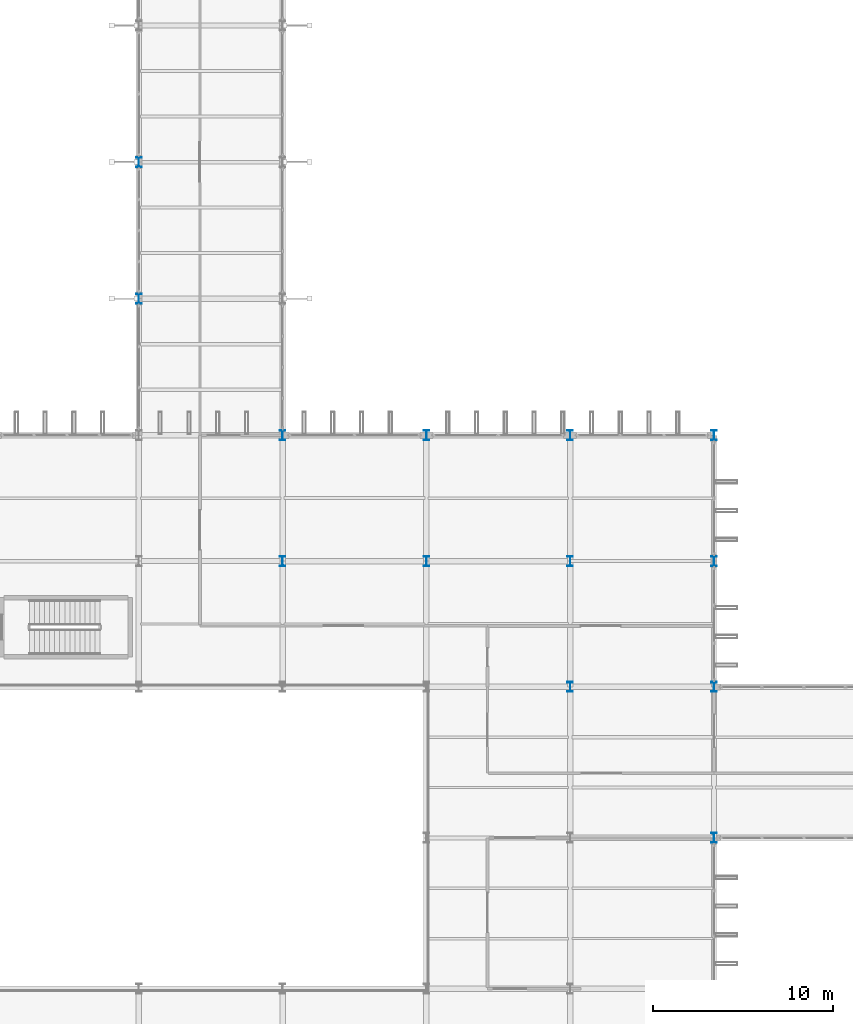
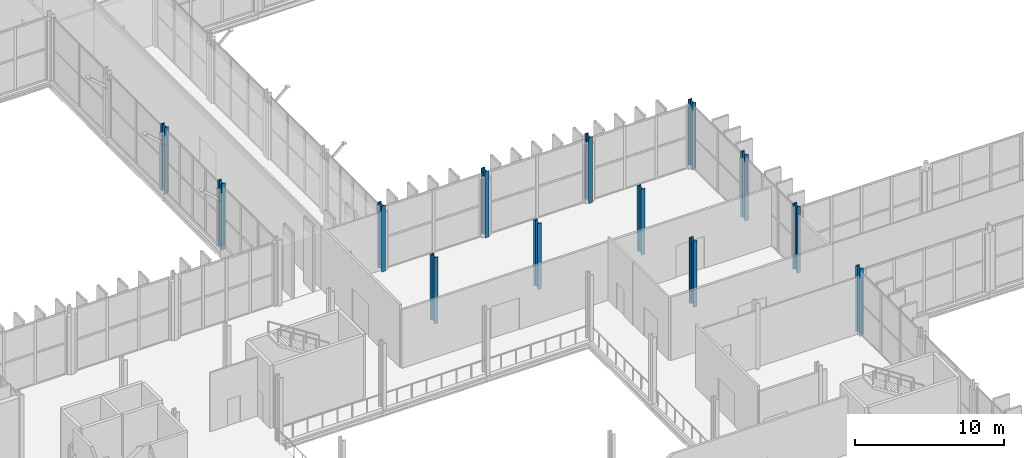
# One storey, part 13 of 147: 13 columns.
"""IFC4 building model written with IfcOpenShell, lengths in metres."""

from ifc_helpers import new_model, si_unit, direction, frame, origin, origin_2d, place, context, subcontext, project, spatial, i_section, extrude, material, material_profile, profile_set, type_object, element, save


model = new_model("IFC4")

# Units and contexts
model_context = context("Model", 3, precision=1e-05, world=origin(), true_north=direction((0.0, 1.0)))
body_context = subcontext(model_context, "Body", "Model", "MODEL_VIEW")
ifc_project = project(units=[si_unit("LENGTHUNIT", "METRE"), si_unit("AREAUNIT", "SQUARE_METRE"), si_unit("VOLUMEUNIT", "CUBIC_METRE"), si_unit("PLANEANGLEUNIT", "RADIAN"), si_unit("MASSUNIT", "GRAM", prefix="KILO")], contexts=[model_context])

# Site, building, storey
site_placement = place(None, origin())
site = spatial("IfcSite", under=ifc_project, at=site_placement, CompositionType="ELEMENT")
building_placement = place(site_placement, origin())
building = spatial("IfcBuilding", under=site, at=building_placement, Name="Vekula Escarpment Museum", CompositionType="ELEMENT")
storey_placement = place(building_placement, frame((0.0, 0.0, 7.800048828125)))
storey = spatial("IfcBuildingStorey", under=building, at=storey_placement, Name="L02", CompositionType="ELEMENT", Elevation=7.800048828125)

# Columns
ifc_material = material(Name="Steel S355", Category="steel")
ifc_material_profile = material_profile(ifc_material, i_section(OverallWidth=0.300048828125, OverallDepth=0.550048828125, WebThickness=0.014892578125, FlangeThickness=0.029052734375, FilletRadius=0.027099609375, at=origin_2d()), Name="HEB 550")
ifc_profile_set = profile_set([ifc_material_profile], Name="Steel S355")
column_type = type_object("IfcColumnType", Name="COL-S-HEB550", PredefinedType="COLUMN", material=ifc_profile_set)
for number, where, z_axis, x_axis, name in (
    (1, (94.0, 98.0, 0.0), (0.0, 0.0, 1.0), (1.0, 0.0, 0.0), "Column L02 (94.0,98.0)"),
    (2, (94.0, 105.60009765625, 0.0), (0.0, 0.0, 1.0), (1.0, 0.0, 0.0), "Column L02 (94.0,105.6)"),
    (3, (102.0, 83.39990234375, 0.0), (0.0, 0.0, 1.0), (1.0, 0.0, 0.0), "Column L02 (102.0,83.4)"),
    (4, (102.0, 90.39990234375, 0.0), (0.0, 0.0, 1.0), (1.0, 0.0, 0.0), "Column L02 (102.0,90.4)"),
    (5, (110.0, 83.39990234375, 0.0), (0.0, 0.0, 1.0), (1.0, 0.0, 0.0), "Column L02 (110.0,83.4)"),
    (6, (110.0, 90.39990234375, 0.0), (0.0, 0.0, 1.0), (1.0, 0.0, 0.0), "Column L02 (110.0,90.4)"),
    (7, (118.0, 76.39990234375, 0.0), (0.0, 0.0, 1.0), (1.0, 0.0, 0.0), "Column L02 (118.0,76.4)"),
    (8, (118.0, 83.39990234375, 0.0), (0.0, 0.0, 1.0), (1.0, 0.0, 0.0), "Column L02 (118.0,83.4)"),
    (9, (118.0, 90.39990234375, 0.0), (0.0, 0.0, 1.0), (1.0, 0.0, 0.0), "Column L02 (118.0,90.4)"),
    (10, (126.0, 68.0, 0.0), (0.0, 0.0, 1.0), (1.0, 0.0, 0.0), "Column L02 (126.0,68.0)"),
    (11, (126.0, 76.39990234375, 0.0), (0.0, 0.0, 1.0), (1.0, 0.0, 0.0), "Column L02 (126.0,76.4)"),
    (12, (126.0, 83.39990234375, 0.0), (0.0, 0.0, 1.0), (1.0, 0.0, 0.0), "Column L02 (126.0,83.4)"),
    (13, (126.0, 90.39990234375, 0.0), (0.0, 0.0, 1.0), (1.0, 0.0, 0.0), "Column L02 (126.0,90.4)"),
):
    element("IfcColumn", number, at=place(storey_placement, frame(where, z_axis=z_axis, x_axis=x_axis)), inside=storey, type_object=column_type, Name=name, PredefinedType="COLUMN", context=body_context, shape_type="SweptSolid", body=[
        extrude(i_section(OverallWidth=0.300048828125, OverallDepth=0.550048828125, WebThickness=0.014892578125, FlangeThickness=0.029052734375, FilletRadius=0.027099609375, at=origin_2d()), origin(), (0.0, 0.0, 1.0), 5.39990234375),
    ])

save(model, "model.ifc")
